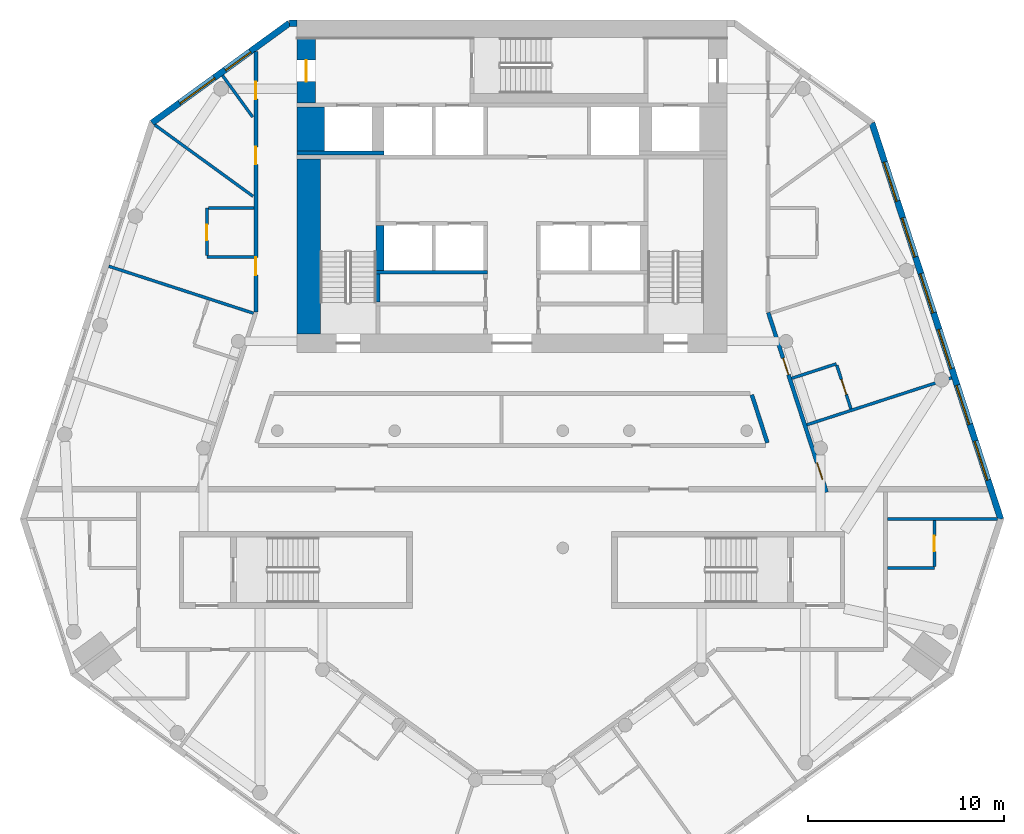
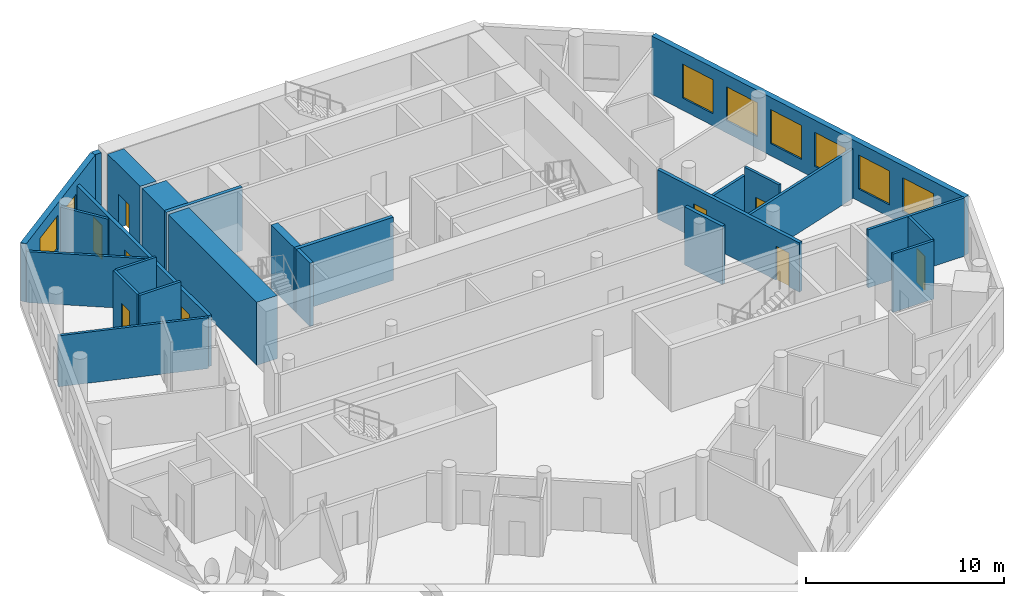
# One storey, part 5 of 9: 25 walls, 9 doors, 8 windows, 17 openings.
"""IFC4 building model written with IfcOpenShell, lengths in metres."""

from ifc_helpers import new_model, si_unit, direction, frame, frame_2d, origin, place, context, subcontext, project, spatial, rectangle, extrude, material, layer, layer_set, type_object, element, fill, save


model = new_model("IFC4")

# Units and contexts
model_context = context("Model", 3, precision=1e-05, world=origin(), true_north=direction((0.0, 1.0)))
body_context = subcontext(model_context, "Body", "Model", "MODEL_VIEW")
ifc_project = project(units=[si_unit("LENGTHUNIT", "METRE"), si_unit("AREAUNIT", "SQUARE_METRE"), si_unit("VOLUMEUNIT", "CUBIC_METRE"), si_unit("PLANEANGLEUNIT", "RADIAN"), si_unit("MASSUNIT", "GRAM", prefix="KILO")], contexts=[model_context])

# Site, building, storey
site_placement = place(None, origin())
site = spatial("IfcSite", under=ifc_project, at=site_placement, CompositionType="ELEMENT")
building_placement = place(site_placement, origin())
building = spatial("IfcBuilding", under=site, at=building_placement, Name="White Candle Pilgrim Tower", CompositionType="ELEMENT")
storey_placement = place(building_placement, frame((0.0, 0.0, 187.60009765625)))
storey = spatial("IfcBuildingStorey", under=building, at=storey_placement, Name="L43", CompositionType="ELEMENT", Elevation=187.60009765625)

# Walls
ifc_material_1 = material(Name="Concrete C60/75", Category="concrete")
ifc_layer_1 = layer(ifc_material_1, 1.39990234375)
ifc_layer_set_1 = layer_set([ifc_layer_1], Name="Core wall 1400 mm Concrete C60/75")
wall_type_1 = type_object("IfcWallType", Name="Core wall 1400 mm Concrete C60/75", PredefinedType="SHEAR", material=ifc_layer_set_1)
wall_1_placement = place(storey_placement, frame((59.699951171875, 81.300048828125, 0.0), z_axis=(0.0, 0.0, 1.0), x_axis=(0.0, 1.0, 0.0)))
element("IfcWall", 1, at=wall_1_placement, inside=storey, type_object=wall_type_1, Name="WL-L43-C42", PredefinedType="SHEAR", context=body_context, shape_type="SweptSolid", body=[
    extrude(rectangle(XDim=2.25, YDim=1.39990234375, at=frame_2d((1.125, 0.0))), origin(), (0.0, 0.0, 1.0), 3.89990234375),
])
ifc_layer_2 = layer(ifc_material_1, 0.199951171875)
ifc_layer_set_2 = layer_set([ifc_layer_2], Name="Core wall 200 mm Concrete C60/75")
wall_type_2 = type_object("IfcWallType", Name="Core wall 200 mm Concrete C60/75", PredefinedType="SHEAR", material=ifc_layer_set_2)
wall_2_placement = place(storey_placement, frame((59.0, 81.199951171875, 0.0), z_axis=(0.0, 0.0, 1.0), x_axis=(1.0, 0.0, 0.0)))
element("IfcWall", 2, at=wall_2_placement, inside=storey, type_object=wall_type_2, Name="WL-L43-C37", PredefinedType="SHEAR", context=body_context, shape_type="SweptSolid", body=[
    extrude(rectangle(XDim=4.449951171875, YDim=0.199951171875, at=frame_2d((2.22509765625, 0.0))), origin(), (0.0, 0.0, 1.0), 3.89990234375),
])

# Wall, opening, door
ifc_layer_3 = layer(ifc_material_1, 0.949951171875)
ifc_layer_set_3 = layer_set([ifc_layer_3], Name="Core wall 950 mm Concrete C60/75")
wall_type_3 = type_object("IfcWallType", Name="Core wall 950 mm Concrete C60/75", PredefinedType="SHEAR", material=ifc_layer_set_3)
wall_3_placement = place(storey_placement, frame((59.47509765625, 83.75, 0.0), z_axis=(0.0, 0.0, 1.0), x_axis=(0.0, 1.0, 0.0)))
wall_3 = element("IfcWall", 3, at=wall_3_placement, inside=storey, type_object=wall_type_3, Name="WL-L43-C47", PredefinedType="SHEAR", context=body_context, shape_type="SweptSolid", body=[
    extrude(rectangle(XDim=3.300048828125, YDim=0.949951171875, at=frame_2d((1.64990234375, 0.0))), origin(), (0.0, 0.0, 1.0), 3.89990234375),
])
opening_1_placement = place(wall_3_placement, frame((1.10009765625, 0.0, 0.0)))
opening_1 = element("IfcOpeningElement", 4, at=opening_1_placement, cuts=wall_3, Name="Opening T13-009", PredefinedType="OPENING", context=body_context, shape_type="SweptSolid", body=[
    extrude(rectangle(XDim=1.10009765625, YDim=2.10009765625, at=frame_2d((0.550048828125, 1.050048828125))), frame((0.0, 0.48486328125, 0.0), z_axis=(0.0, -1.0, 0.0), x_axis=(1.0, 0.0, 0.0)), (0.0, 0.0, 1.0), 0.969970703125),
])
ifc_material_2 = material(Name="Steel door leaf", Category="steel")
door_type_1 = type_object("IfcDoorType", Name="Fire door 1100 x 2100 EI 60", OperationType="NOTDEFINED", PredefinedType="DOOR", material=ifc_material_2)
door_1_placement = place(opening_1_placement, origin())
door_1 = element("IfcDoor", 5, at=door_1_placement, inside=storey, type_object=door_type_1, Name="Door T13-009", OperationType="SINGLE_SWING_LEFT", OverallHeight=2.10009765625, OverallWidth=1.10009765625, PredefinedType="DOOR", context=body_context, shape_type="SweptSolid", body=[
    extrude(rectangle(XDim=1.10009765625, YDim=2.10009765625, at=frame_2d((0.550048828125, 1.050048828125))), frame((0.0, 0.02490234375, 0.0), z_axis=(0.0, -1.0, 0.0), x_axis=(1.0, 0.0, 0.0)), (0.0, 0.0, 1.0), 0.050048828125),
])
fill(opening_1, door_1)

# Wall, openings, doors
ifc_material_3 = material(Name="Gypsum board on steel studs", Category="steel")
ifc_layer_4 = layer(ifc_material_3, 0.199951171875)
ifc_layer_set_4 = layer_set([ifc_layer_4], Name="Corridor wall 200 mm EI 45")
wall_type_4 = type_object("IfcWallType", Name="Corridor wall 200 mm EI 45", PredefinedType="PARTITIONING", material=ifc_layer_set_4)
wall_4_placement = place(storey_placement, frame((56.89990234375, 73.072021484375, 0.0), z_axis=(0.0, 0.0, 1.0), x_axis=(0.0, 1.0, 0.0)))
wall_4 = element("IfcWall", 6, at=wall_4_placement, inside=storey, type_object=wall_type_4, Name="WL-L43-P003", PredefinedType="PARTITIONING", context=body_context, shape_type="SweptSolid", body=[
    extrude(rectangle(XDim=13.32421875, YDim=0.199951171875, at=frame_2d((6.662109375, 0.0))), origin(), (0.0, 0.0, 1.0), 3.14990234375),
])
opening_2_placement = place(wall_4_placement, frame((1.885498046875, 0.0, 0.0)))
opening_2 = element("IfcOpeningElement", 7, at=opening_2_placement, cuts=wall_4, Name="Opening T13-126", PredefinedType="OPENING", context=body_context, shape_type="SweptSolid", body=[
    extrude(rectangle(XDim=0.89990234375, YDim=2.10009765625, at=frame_2d((0.449951171875, 1.050048828125))), frame((0.0, 0.10986328125, 0.0), z_axis=(0.0, -1.0, 0.0), x_axis=(1.0, 0.0, 0.0)), (0.0, 0.0, 1.0), 0.219970703125),
])
opening_3_placement = place(wall_4_placement, frame((7.54150390625, 0.0, 0.0)))
opening_3 = element("IfcOpeningElement", 8, at=opening_3_placement, cuts=wall_4, Name="Opening T13-127", PredefinedType="OPENING", context=body_context, shape_type="SweptSolid", body=[
    extrude(rectangle(XDim=0.89990234375, YDim=2.10009765625, at=frame_2d((0.449951171875, 1.050048828125))), frame((0.0, 0.10986328125, 0.0), z_axis=(0.0, -1.0, 0.0), x_axis=(1.0, 0.0, 0.0)), (0.0, 0.0, 1.0), 0.219970703125),
])
opening_4_placement = place(wall_4_placement, frame((10.87548828125, 0.0, 0.0)))
opening_4 = element("IfcOpeningElement", 9, at=opening_4_placement, cuts=wall_4, Name="Opening T13-128", PredefinedType="OPENING", context=body_context, shape_type="SweptSolid", body=[
    extrude(rectangle(XDim=0.89990234375, YDim=2.10009765625, at=frame_2d((0.449951171875, 1.050048828125))), frame((0.0, 0.10986328125, 0.0), z_axis=(0.0, -1.0, 0.0), x_axis=(1.0, 0.0, 0.0)), (0.0, 0.0, 1.0), 0.219970703125),
])
door_type_2 = type_object("IfcDoorType", Name="Fire door 900 x 2100 EI 30", OperationType="NOTDEFINED", PredefinedType="DOOR", material=ifc_material_2)
door_2_placement = place(opening_2_placement, frame((0.89990234375, 0.0, 0.0), z_axis=(0.0, 0.0, 1.0), x_axis=(-1.0, 0.0, 0.0)))
door_2 = element("IfcDoor", 10, at=door_2_placement, inside=storey, type_object=door_type_2, Name="Door T13-126", OperationType="SINGLE_SWING_LEFT", OverallHeight=2.10009765625, OverallWidth=0.89990234375, PredefinedType="DOOR", context=body_context, shape_type="SweptSolid", body=[
    extrude(rectangle(XDim=0.89990234375, YDim=2.10009765625, at=frame_2d((0.449951171875, 1.050048828125))), frame((0.0, 0.02490234375, 0.0), z_axis=(0.0, -1.0, 0.0), x_axis=(1.0, 0.0, 0.0)), (0.0, 0.0, 1.0), 0.050048828125),
])
fill(opening_2, door_2)
door_3_placement = place(opening_3_placement, origin())
door_3 = element("IfcDoor", 11, at=door_3_placement, inside=storey, type_object=door_type_2, Name="Door T13-127", OperationType="SINGLE_SWING_LEFT", OverallHeight=2.10009765625, OverallWidth=0.89990234375, PredefinedType="DOOR", context=body_context, shape_type="SweptSolid", body=[
    extrude(rectangle(XDim=0.89990234375, YDim=2.10009765625, at=frame_2d((0.449951171875, 1.050048828125))), frame((0.0, 0.02490234375, 0.0), z_axis=(0.0, -1.0, 0.0), x_axis=(1.0, 0.0, 0.0)), (0.0, 0.0, 1.0), 0.050048828125),
])
fill(opening_3, door_3)
door_4_placement = place(opening_4_placement, origin())
door_4 = element("IfcDoor", 12, at=door_4_placement, inside=storey, type_object=door_type_2, Name="Door T13-128", OperationType="SINGLE_SWING_RIGHT", OverallHeight=2.10009765625, OverallWidth=0.89990234375, PredefinedType="DOOR", context=body_context, shape_type="SweptSolid", body=[
    extrude(rectangle(XDim=0.89990234375, YDim=2.10009765625, at=frame_2d((0.449951171875, 1.050048828125))), frame((0.0, 0.02490234375, 0.0), z_axis=(0.0, -1.0, 0.0), x_axis=(1.0, 0.0, 0.0)), (0.0, 0.0, 1.0), 0.050048828125),
])
fill(opening_4, door_4)

wall_5_placement = place(storey_placement, frame((83.10498046875, 73.041259765625, 0.0), z_axis=(0.0, 0.0, 1.0), x_axis=(0.309011240603, -0.95105838579, 0.0)))
wall_5 = element("IfcWall", 13, at=wall_5_placement, inside=storey, type_object=wall_type_4, Name="WL-L43-P005", PredefinedType="PARTITIONING", context=body_context, shape_type="SweptSolid", body=[
    extrude(rectangle(XDim=9.6640625, YDim=0.199951171875, at=frame_2d((4.83203125, 0.0))), origin(), (0.0, 0.0, 1.0), 3.0498046875),
])
opening_5_placement = place(wall_5_placement, frame((2.44921875, 0.0, 0.0)))
opening_5 = element("IfcOpeningElement", 14, at=opening_5_placement, cuts=wall_5, Name="Opening T13-132", PredefinedType="OPENING", context=body_context, shape_type="SweptSolid", body=[
    extrude(rectangle(XDim=0.89990234375, YDim=2.10009765625, at=frame_2d((0.449951171875, 1.050048828125))), frame((0.0, 0.10986328125, 0.0), z_axis=(0.0, -1.0, 0.0), x_axis=(1.0, 0.0, 0.0)), (0.0, 0.0, 1.0), 0.219970703125),
])
opening_6_placement = place(wall_5_placement, frame((8.078125, 0.0, 0.0)))
opening_6 = element("IfcOpeningElement", 15, at=opening_6_placement, cuts=wall_5, Name="Opening T13-133", PredefinedType="OPENING", context=body_context, shape_type="SweptSolid", body=[
    extrude(rectangle(XDim=0.89990234375, YDim=2.10009765625, at=frame_2d((0.449951171875, 1.050048828125))), frame((0.0, 0.10986328125, 0.0), z_axis=(0.0, -1.0, 0.0), x_axis=(1.0, 0.0, 0.0)), (0.0, 0.0, 1.0), 0.219970703125),
])
door_5_placement = place(opening_5_placement, origin())
door_5 = element("IfcDoor", 16, at=door_5_placement, inside=storey, type_object=door_type_2, Name="Door T13-132", OperationType="SINGLE_SWING_RIGHT", OverallHeight=2.10009765625, OverallWidth=0.89990234375, PredefinedType="DOOR", context=body_context, shape_type="SweptSolid", body=[
    extrude(rectangle(XDim=0.89990234375, YDim=2.10009765625, at=frame_2d((0.449951171875, 1.050048828125))), frame((0.0, 0.02490234375, 0.0), z_axis=(0.0, -1.0, 0.0), x_axis=(1.0, 0.0, 0.0)), (0.0, 0.0, 1.0), 0.050048828125),
])
fill(opening_5, door_5)
door_6_placement = place(opening_6_placement, origin())
door_6 = element("IfcDoor", 17, at=door_6_placement, inside=storey, type_object=door_type_2, Name="Door T13-133", OperationType="SINGLE_SWING_LEFT", OverallHeight=2.10009765625, OverallWidth=0.89990234375, PredefinedType="DOOR", context=body_context, shape_type="SweptSolid", body=[
    extrude(rectangle(XDim=0.89990234375, YDim=2.10009765625, at=frame_2d((0.449951171875, 1.050048828125))), frame((0.0, 0.02490234375, 0.0), z_axis=(0.0, -1.0, 0.0), x_axis=(1.0, 0.0, 0.0)), (0.0, 0.0, 1.0), 0.050048828125),
])
fill(opening_6, door_6)

# Wall
wall_6_placement = place(storey_placement, frame((83.060791015625, 66.380859375, 0.0), z_axis=(0.0, 0.0, 1.0), x_axis=(-0.308968203288, 0.951072368097, 0.0)))
element("IfcWall", 18, at=wall_6_placement, inside=storey, type_object=wall_type_4, Name="WL-L43-P013", PredefinedType="PARTITIONING", context=body_context, shape_type="SweptSolid", body=[
    extrude(rectangle(XDim=2.575927734375, YDim=0.199951171875, at=frame_2d((1.2880859375, 0.0))), origin(), (0.0, 0.0, 1.0), 3.599853515625),
])

# Wall, openings, windows
ifc_material_4 = material(Name="Precast concrete C40/50", Category="concrete")
ifc_layer_5 = layer(ifc_material_4, 0.320068359375)
ifc_layer_set_5 = layer_set([ifc_layer_5], Name="Facade wall EW1 precast concrete C40/50 pier wall with timber-lined reveals")
wall_type_5 = type_object("IfcWallType", Name="Facade wall EW1 precast concrete C40/50 pier wall with timber-lined reveals", PredefinedType="SOLIDWALL", material=ifc_layer_set_5)
wall_7_placement = place(storey_placement, frame((94.9931640625, 62.470703125, 0.0), z_axis=(0.0, 0.0, 1.0), x_axis=(-0.309014571298, 0.951057303597, 0.0)))
wall_7 = element("IfcWall", 19, at=wall_7_placement, inside=storey, type_object=wall_type_5, Name="Facade wall L43 ENE", PredefinedType="SOLIDWALL", context=body_context, shape_type="SweptSolid", body=[
    extrude(rectangle(XDim=21.3095703125, YDim=0.320068359375, at=frame_2d((10.65478515625, 0.0))), origin(), (0.0, 0.0, 1.0), 3.599853515625),
])
opening_7_placement = place(wall_7_placement, frame((2.104736328125, 0.0, 0.75)))
opening_7 = element("IfcOpeningElement", 20, at=opening_7_placement, cuts=wall_7, Name="Opening W3", PredefinedType="OPENING", context=body_context, shape_type="SweptSolid", body=[
    extrude(rectangle(XDim=2.10009765625, YDim=2.10009765625, at=frame_2d((1.050048828125, 1.050048828125))), frame((0.0, 0.169921875, 0.0), z_axis=(0.0, -1.0, 0.0), x_axis=(1.0, 0.0, 0.0)), (0.0, 0.0, 1.0), 0.340087890625),
])
opening_8_placement = place(wall_7_placement, frame((5.104736328125, 0.0, 0.75)))
opening_8 = element("IfcOpeningElement", 21, at=opening_8_placement, cuts=wall_7, Name="Opening W3", PredefinedType="OPENING", context=body_context, shape_type="SweptSolid", body=[
    extrude(rectangle(XDim=2.10009765625, YDim=2.10009765625, at=frame_2d((1.050048828125, 1.050048828125))), frame((0.0, 0.169921875, 0.0), z_axis=(0.0, -1.0, 0.0), x_axis=(1.0, 0.0, 0.0)), (0.0, 0.0, 1.0), 0.340087890625),
])
opening_9_placement = place(wall_7_placement, frame((8.104736328125, 0.0, 0.75)))
opening_9 = element("IfcOpeningElement", 22, at=opening_9_placement, cuts=wall_7, Name="Opening W3", PredefinedType="OPENING", context=body_context, shape_type="SweptSolid", body=[
    extrude(rectangle(XDim=2.10009765625, YDim=2.10009765625, at=frame_2d((1.050048828125, 1.050048828125))), frame((0.0, 0.169921875, 0.0), z_axis=(0.0, -1.0, 0.0), x_axis=(1.0, 0.0, 0.0)), (0.0, 0.0, 1.0), 0.340087890625),
])
opening_10_placement = place(wall_7_placement, frame((11.104736328125, 0.0, 0.75)))
opening_10 = element("IfcOpeningElement", 23, at=opening_10_placement, cuts=wall_7, Name="Opening W3", PredefinedType="OPENING", context=body_context, shape_type="SweptSolid", body=[
    extrude(rectangle(XDim=2.10009765625, YDim=2.10009765625, at=frame_2d((1.050048828125, 1.050048828125))), frame((0.0, 0.169921875, 0.0), z_axis=(0.0, -1.0, 0.0), x_axis=(1.0, 0.0, 0.0)), (0.0, 0.0, 1.0), 0.340087890625),
])
opening_11_placement = place(wall_7_placement, frame((14.104736328125, 0.0, 0.75)))
opening_11 = element("IfcOpeningElement", 24, at=opening_11_placement, cuts=wall_7, Name="Opening W3", PredefinedType="OPENING", context=body_context, shape_type="SweptSolid", body=[
    extrude(rectangle(XDim=2.10009765625, YDim=2.10009765625, at=frame_2d((1.050048828125, 1.050048828125))), frame((0.0, 0.169921875, 0.0), z_axis=(0.0, -1.0, 0.0), x_axis=(1.0, 0.0, 0.0)), (0.0, 0.0, 1.0), 0.340087890625),
])
opening_12_placement = place(wall_7_placement, frame((17.104736328125, 0.0, 0.75)))
opening_12 = element("IfcOpeningElement", 25, at=opening_12_placement, cuts=wall_7, Name="Opening W3", PredefinedType="OPENING", context=body_context, shape_type="SweptSolid", body=[
    extrude(rectangle(XDim=2.10009765625, YDim=2.10009765625, at=frame_2d((1.050048828125, 1.050048828125))), frame((0.0, 0.169921875, 0.0), z_axis=(0.0, -1.0, 0.0), x_axis=(1.0, 0.0, 0.0)), (0.0, 0.0, 1.0), 0.340087890625),
])
ifc_material_5 = material(Name="Timber frame with triple glazing", Category="wood")
window_type_1 = type_object("IfcWindowType", Name="Window W3 2100x2100 timber frame triple glazing", PartitioningType="SINGLE_PANEL", PredefinedType="WINDOW", material=ifc_material_5)
window_1_placement = place(opening_7_placement, origin())
window_1 = element("IfcWindow", 26, at=window_1_placement, inside=storey, type_object=window_type_1, Name="Window W3 L43 ENE 1", OverallHeight=2.10009765625, OverallWidth=2.10009765625, PartitioningType="SINGLE_PANEL", PredefinedType="WINDOW", context=body_context, shape_type="SweptSolid", body=[
    extrude(rectangle(XDim=2.10009765625, YDim=2.10009765625, at=frame_2d((1.050048828125, 1.050048828125))), frame((0.0, 0.070068359375, 0.0), z_axis=(0.0, -1.0, 0.0), x_axis=(1.0, 0.0, 0.0)), (0.0, 0.0, 1.0), 0.06005859375),
])
fill(opening_7, window_1)
window_2_placement = place(opening_8_placement, origin())
window_2 = element("IfcWindow", 27, at=window_2_placement, inside=storey, type_object=window_type_1, Name="Window W3 L43 ENE 2", OverallHeight=2.10009765625, OverallWidth=2.10009765625, PartitioningType="SINGLE_PANEL", PredefinedType="WINDOW", context=body_context, shape_type="SweptSolid", body=[
    extrude(rectangle(XDim=2.10009765625, YDim=2.10009765625, at=frame_2d((1.050048828125, 1.050048828125))), frame((0.0, 0.070068359375, 0.0), z_axis=(0.0, -1.0, 0.0), x_axis=(1.0, 0.0, 0.0)), (0.0, 0.0, 1.0), 0.06005859375),
])
fill(opening_8, window_2)
window_3_placement = place(opening_9_placement, origin())
window_3 = element("IfcWindow", 28, at=window_3_placement, inside=storey, type_object=window_type_1, Name="Window W3 L43 ENE 3", OverallHeight=2.10009765625, OverallWidth=2.10009765625, PartitioningType="SINGLE_PANEL", PredefinedType="WINDOW", context=body_context, shape_type="SweptSolid", body=[
    extrude(rectangle(XDim=2.10009765625, YDim=2.10009765625, at=frame_2d((1.050048828125, 1.050048828125))), frame((0.0, 0.070068359375, 0.0), z_axis=(0.0, -1.0, 0.0), x_axis=(1.0, 0.0, 0.0)), (0.0, 0.0, 1.0), 0.06005859375),
])
fill(opening_9, window_3)
window_4_placement = place(opening_10_placement, origin())
window_4 = element("IfcWindow", 29, at=window_4_placement, inside=storey, type_object=window_type_1, Name="Window W3 L43 ENE 4", OverallHeight=2.10009765625, OverallWidth=2.10009765625, PartitioningType="SINGLE_PANEL", PredefinedType="WINDOW", context=body_context, shape_type="SweptSolid", body=[
    extrude(rectangle(XDim=2.10009765625, YDim=2.10009765625, at=frame_2d((1.050048828125, 1.050048828125))), frame((0.0, 0.070068359375, 0.0), z_axis=(0.0, -1.0, 0.0), x_axis=(1.0, 0.0, 0.0)), (0.0, 0.0, 1.0), 0.06005859375),
])
fill(opening_10, window_4)
window_5_placement = place(opening_11_placement, origin())
window_5 = element("IfcWindow", 30, at=window_5_placement, inside=storey, type_object=window_type_1, Name="Window W3 L43 ENE 5", OverallHeight=2.10009765625, OverallWidth=2.10009765625, PartitioningType="SINGLE_PANEL", PredefinedType="WINDOW", context=body_context, shape_type="SweptSolid", body=[
    extrude(rectangle(XDim=2.10009765625, YDim=2.10009765625, at=frame_2d((1.050048828125, 1.050048828125))), frame((0.0, 0.070068359375, 0.0), z_axis=(0.0, -1.0, 0.0), x_axis=(1.0, 0.0, 0.0)), (0.0, 0.0, 1.0), 0.06005859375),
])
fill(opening_11, window_5)
window_6_placement = place(opening_12_placement, origin())
window_6 = element("IfcWindow", 31, at=window_6_placement, inside=storey, type_object=window_type_1, Name="Window W3 L43 ENE 6", OverallHeight=2.10009765625, OverallWidth=2.10009765625, PartitioningType="SINGLE_PANEL", PredefinedType="WINDOW", context=body_context, shape_type="SweptSolid", body=[
    extrude(rectangle(XDim=2.10009765625, YDim=2.10009765625, at=frame_2d((1.050048828125, 1.050048828125))), frame((0.0, 0.070068359375, 0.0), z_axis=(0.0, -1.0, 0.0), x_axis=(1.0, 0.0, 0.0)), (0.0, 0.0, 1.0), 0.06005859375),
])
fill(opening_12, window_6)

# Wall
wall_8_placement = place(storey_placement, frame((59.0, 87.840087890625, 0.0), z_axis=(0.0, 0.0, 1.0), x_axis=(-1.0, 0.0, 0.0)))
element("IfcWall", 32, at=wall_8_placement, inside=storey, type_object=wall_type_5, Name="Facade wall L43 N", PredefinedType="SOLIDWALL", context=body_context, shape_type="SweptSolid", body=[
    extrude(rectangle(XDim=0.385009765625, YDim=0.320068359375, at=frame_2d((0.1923828125, 0.0))), origin(), (0.0, 0.0, 1.0), 3.599853515625),
])

# Wall, openings, windows
wall_9_placement = place(storey_placement, frame((58.614990234375, 87.840087890625, 0.0), z_axis=(0.0, 0.0, 1.0), x_axis=(-0.809009624381, -0.587795396085, 0.0)))
wall_9 = element("IfcWall", 33, at=wall_9_placement, inside=storey, type_object=wall_type_5, Name="Facade wall L43 NW chamfer", PredefinedType="SOLIDWALL", context=body_context, shape_type="SweptSolid", body=[
    extrude(rectangle(XDim=8.68115234375, YDim=0.320068359375, at=frame_2d((4.340576171875, 0.0))), origin(), (0.0, 0.0, 1.0), 3.599853515625),
])
opening_13_placement = place(wall_9_placement, frame((2.459716796875, 0.0, 0.89990234375)))
opening_13 = element("IfcOpeningElement", 34, at=opening_13_placement, cuts=wall_9, Name="Opening W2", PredefinedType="OPENING", context=body_context, shape_type="SweptSolid", body=[
    extrude(rectangle(XDim=1.60009765625, YDim=1.800048828125, at=frame_2d((0.800048828125, 0.89990234375))), frame((0.0, 0.169921875, 0.0), z_axis=(0.0, -1.0, 0.0), x_axis=(1.0, 0.0, 0.0)), (0.0, 0.0, 1.0), 0.340087890625),
])
opening_14_placement = place(wall_9_placement, frame((4.740478515625, 0.0, 0.75)))
opening_14 = element("IfcOpeningElement", 35, at=opening_14_placement, cuts=wall_9, Name="Opening W4", PredefinedType="OPENING", context=body_context, shape_type="SweptSolid", body=[
    extrude(rectangle(XDim=2.199951171875, YDim=2.10009765625, at=frame_2d((1.10009765625, 1.050048828125))), frame((0.0, 0.169921875, 0.0), z_axis=(0.0, -1.0, 0.0), x_axis=(1.0, 0.0, 0.0)), (0.0, 0.0, 1.0), 0.340087890625),
])
window_type_2 = type_object("IfcWindowType", Name="Window W2 1600x1800 timber frame triple glazing", PartitioningType="SINGLE_PANEL", PredefinedType="WINDOW", material=ifc_material_5)
window_7_placement = place(opening_13_placement, origin())
window_7 = element("IfcWindow", 36, at=window_7_placement, inside=storey, type_object=window_type_2, Name="Window W2 L43 NW chamfer 1", OverallHeight=1.800048828125, OverallWidth=1.60009765625, PartitioningType="SINGLE_PANEL", PredefinedType="WINDOW", context=body_context, shape_type="SweptSolid", body=[
    extrude(rectangle(XDim=1.60009765625, YDim=1.800048828125, at=frame_2d((0.800048828125, 0.89990234375))), frame((0.0, 0.070068359375, 0.0), z_axis=(0.0, -1.0, 0.0), x_axis=(1.0, 0.0, 0.0)), (0.0, 0.0, 1.0), 0.06005859375),
])
fill(opening_13, window_7)
window_type_3 = type_object("IfcWindowType", Name="Window W4 2200x2100 timber frame triple glazing", PartitioningType="SINGLE_PANEL", PredefinedType="WINDOW", material=ifc_material_5)
window_8_placement = place(opening_14_placement, origin())
window_8 = element("IfcWindow", 37, at=window_8_placement, inside=storey, type_object=window_type_3, Name="Window W4 L43 NW chamfer 2", OverallHeight=2.10009765625, OverallWidth=2.199951171875, PartitioningType="SINGLE_PANEL", PredefinedType="WINDOW", context=body_context, shape_type="SweptSolid", body=[
    extrude(rectangle(XDim=2.199951171875, YDim=2.10009765625, at=frame_2d((1.10009765625, 1.050048828125))), frame((0.0, 0.070068359375, 0.0), z_axis=(0.0, -1.0, 0.0), x_axis=(1.0, 0.0, 0.0)), (0.0, 0.0, 1.0), 0.06005859375),
])
fill(opening_14, window_8)

# Walls
ifc_layer_6 = layer(ifc_material_3, 0.14990234375)
ifc_layer_set_6 = layer_set([ifc_layer_6], Name="Partition 150 mm EI 60")
wall_type_6 = type_object("IfcWallType", Name="Partition 150 mm EI 60", PredefinedType="PARTITIONING", material=ifc_layer_set_6)
wall_10_placement = place(storey_placement, frame((51.727783203125, 82.638427734375, 0.0), z_axis=(0.0, 0.0, 1.0), x_axis=(0.809038352218, -0.58775585462, 0.0)))
element("IfcWall", 38, at=wall_10_placement, inside=storey, type_object=wall_type_6, Name="WL-L43-P017", PredefinedType="PARTITIONING", context=body_context, shape_type="SweptSolid", body=[
    extrude(rectangle(XDim=6.21484375, YDim=0.14990234375, at=frame_2d((3.107421875, 0.0))), origin(), (0.0, 0.0, 1.0), 3.14990234375),
])
wall_11_placement = place(storey_placement, frame((94.824951171875, 62.470703125, 0.0), z_axis=(0.0, 0.0, 1.0), x_axis=(-1.0, 0.0, 0.0)))
element("IfcWall", 39, at=wall_11_placement, inside=storey, type_object=wall_type_6, Name="WL-L43-P023", PredefinedType="PARTITIONING", context=body_context, shape_type="SweptSolid", body=[
    extrude(rectangle(XDim=5.625, YDim=0.14990234375, at=frame_2d((2.8125, 0.0))), origin(), (0.0, 0.0, 1.0), 3.599853515625),
])
wall_12_placement = place(storey_placement, frame((55.197509765625, 85.1591796875, 0.0), z_axis=(0.0, 0.0, 1.0), x_axis=(0.587778694089, -0.809021759148, 0.0)))
element("IfcWall", 40, at=wall_12_placement, inside=storey, type_object=wall_type_6, Name="WL-L43-P025", PredefinedType="PARTITIONING", context=body_context, shape_type="SweptSolid", body=[
    extrude(rectangle(XDim=2.623046875, YDim=0.14990234375, at=frame_2d((1.3115234375, 0.0))), origin(), (0.0, 0.0, 1.0), 3.14990234375),
])
wall_13_placement = place(storey_placement, frame((49.37841796875, 75.40771484375, 0.0), z_axis=(0.0, 0.0, 1.0), x_axis=(0.951062659592, -0.308998086611, 0.0)))
element("IfcWall", 41, at=wall_13_placement, inside=storey, type_object=wall_type_6, Name="WL-L43-P026", PredefinedType="PARTITIONING", context=body_context, shape_type="SweptSolid", body=[
    extrude(rectangle(XDim=7.7802734375, YDim=0.14990234375, at=frame_2d((3.89013671875, 0.0))), origin(), (0.0, 0.0, 1.0), 3.14990234375),
])
wall_14_placement = place(storey_placement, frame((56.800048828125, 75.880859375, 0.0), z_axis=(0.0, 0.0, 1.0), x_axis=(-1.0, 0.0, 0.0)))
element("IfcWall", 42, at=wall_14_placement, inside=storey, type_object=wall_type_6, Name="WL-L43-P028", PredefinedType="PARTITIONING", context=body_context, shape_type="SweptSolid", body=[
    extrude(rectangle(XDim=2.400146484375, YDim=0.14990234375, at=frame_2d((1.2001953125, 0.0))), origin(), (0.0, 0.0, 1.0), 3.599853515625),
])

# Wall, opening, door
wall_15_placement = place(storey_placement, frame((54.39990234375, 78.380859375, 0.0), z_axis=(0.0, 0.0, 1.0), x_axis=(0.0, -1.0, 0.0)))
wall_15 = element("IfcWall", 43, at=wall_15_placement, inside=storey, type_object=wall_type_6, Name="WL-L43-P029", PredefinedType="PARTITIONING", context=body_context, shape_type="SweptSolid", body=[
    extrude(rectangle(XDim=2.425048828125, YDim=0.14990234375, at=frame_2d((1.21240234375, 0.0))), origin(), (0.0, 0.0, 1.0), 3.599853515625),
])
opening_15_placement = place(wall_15_placement, frame((0.85009765625, 0.0, 0.0)))
opening_15 = element("IfcOpeningElement", 44, at=opening_15_placement, cuts=wall_15, Name="Opening T13-101", PredefinedType="OPENING", context=body_context, shape_type="SweptSolid", body=[
    extrude(rectangle(XDim=0.800048828125, YDim=2.10009765625, at=frame_2d((0.39990234375, 1.050048828125))), frame((0.0, 0.0849609375, 0.0), z_axis=(0.0, -1.0, 0.0), x_axis=(1.0, 0.0, 0.0)), (0.0, 0.0, 1.0), 0.169921875),
])
door_type_3 = type_object("IfcDoorType", Name="Fire door 800 x 2100 EI 30", OperationType="NOTDEFINED", PredefinedType="DOOR", material=ifc_material_2)
door_7_placement = place(opening_15_placement, frame((0.800048828125, 0.0, 0.0), z_axis=(0.0, 0.0, 1.0), x_axis=(-1.0, 0.0, 0.0)))
door_7 = element("IfcDoor", 45, at=door_7_placement, inside=storey, type_object=door_type_3, Name="Door T13-101", OperationType="SINGLE_SWING_RIGHT", OverallHeight=2.10009765625, OverallWidth=0.800048828125, PredefinedType="DOOR", context=body_context, shape_type="SweptSolid", body=[
    extrude(rectangle(XDim=0.800048828125, YDim=2.10009765625, at=frame_2d((0.39990234375, 1.050048828125))), frame((0.0, 0.02490234375, 0.0), z_axis=(0.0, -1.0, 0.0), x_axis=(1.0, 0.0, 0.0)), (0.0, 0.0, 1.0), 0.050048828125),
])
fill(opening_15, door_7)

# Walls
wall_16_placement = place(storey_placement, frame((56.800048828125, 78.380859375, 0.0), z_axis=(0.0, 0.0, 1.0), x_axis=(-1.0, 0.0, 0.0)))
element("IfcWall", 46, at=wall_16_placement, inside=storey, type_object=wall_type_6, Name="WL-L43-P030", PredefinedType="PARTITIONING", context=body_context, shape_type="SweptSolid", body=[
    extrude(rectangle(XDim=2.324951171875, YDim=0.14990234375, at=frame_2d((1.16259765625, 0.0))), origin(), (0.0, 0.0, 1.0), 3.599853515625),
])
wall_17_placement = place(storey_placement, frame((89.199951171875, 59.970703125, 0.0), z_axis=(0.0, 0.0, 1.0), x_axis=(1.0, 0.0, 0.0)))
element("IfcWall", 47, at=wall_17_placement, inside=storey, type_object=wall_type_6, Name="WL-L43-P049", PredefinedType="PARTITIONING", context=body_context, shape_type="SweptSolid", body=[
    extrude(rectangle(XDim=2.400146484375, YDim=0.14990234375, at=frame_2d((1.2001953125, 0.0))), origin(), (0.0, 0.0, 1.0), 3.599853515625),
])

# Wall, opening, door
wall_18_placement = place(storey_placement, frame((91.60009765625, 62.395751953125, 0.0), z_axis=(0.0, 0.0, 1.0), x_axis=(0.0, -1.0, 0.0)))
wall_18 = element("IfcWall", 48, at=wall_18_placement, inside=storey, type_object=wall_type_6, Name="WL-L43-P050", PredefinedType="PARTITIONING", context=body_context, shape_type="SweptSolid", body=[
    extrude(rectangle(XDim=2.35009765625, YDim=0.14990234375, at=frame_2d((1.175048828125, 0.0))), origin(), (0.0, 0.0, 1.0), 3.599853515625),
])
opening_16_placement = place(wall_18_placement, frame((0.77490234375, 0.0, 0.0)))
opening_16 = element("IfcOpeningElement", 49, at=opening_16_placement, cuts=wall_18, Name="Opening T13-116", PredefinedType="OPENING", context=body_context, shape_type="SweptSolid", body=[
    extrude(rectangle(XDim=0.800048828125, YDim=2.10009765625, at=frame_2d((0.39990234375, 1.050048828125))), frame((0.0, 0.0849609375, 0.0), z_axis=(0.0, -1.0, 0.0), x_axis=(1.0, 0.0, 0.0)), (0.0, 0.0, 1.0), 0.169921875),
])
door_8_placement = place(opening_16_placement, origin())
door_8 = element("IfcDoor", 50, at=door_8_placement, inside=storey, type_object=door_type_3, Name="Door T13-116", OperationType="SINGLE_SWING_RIGHT", OverallHeight=2.10009765625, OverallWidth=0.800048828125, PredefinedType="DOOR", context=body_context, shape_type="SweptSolid", body=[
    extrude(rectangle(XDim=0.800048828125, YDim=2.10009765625, at=frame_2d((0.39990234375, 1.050048828125))), frame((0.0, 0.02490234375, 0.0), z_axis=(0.0, -1.0, 0.0), x_axis=(1.0, 0.0, 0.0)), (0.0, 0.0, 1.0), 0.050048828125),
])
fill(opening_16, door_8)

# Walls
wall_19_placement = place(storey_placement, frame((92.4755859375, 69.701416015625, 0.0), z_axis=(0.0, 0.0, 1.0), x_axis=(-0.951059663309, -0.309007308694, 0.0)))
element("IfcWall", 51, at=wall_19_placement, inside=storey, type_object=wall_type_6, Name="WL-L43-P051", PredefinedType="PARTITIONING", context=body_context, shape_type="SweptSolid", body=[
    extrude(rectangle(XDim=7.780029296875, YDim=0.14990234375, at=frame_2d((3.89013671875, 0.0))), origin(), (0.0, 0.0, 1.0), 3.0498046875),
])
wall_20_placement = place(storey_placement, frame((84.3037109375, 69.6748046875, 0.0), z_axis=(0.0, 0.0, 1.0), x_axis=(0.951046776628, 0.309046968381, 0.0)))
element("IfcWall", 52, at=wall_20_placement, inside=storey, type_object=wall_type_6, Name="WL-L43-P053", PredefinedType="PARTITIONING", context=body_context, shape_type="SweptSolid", body=[
    extrude(rectangle(XDim=2.39990234375, YDim=0.14990234375, at=frame_2d((1.199951171875, 0.0))), origin(), (0.0, 0.0, 1.0), 3.0498046875),
])

# Wall, opening, door
wall_21_placement = place(storey_placement, frame((87.335693359375, 68.1103515625, 0.0), z_axis=(0.0, 0.0, 1.0), x_axis=(-0.308987401554, 0.951066131077, 0.0)))
wall_21 = element("IfcWall", 53, at=wall_21_placement, inside=storey, type_object=wall_type_6, Name="WL-L43-P054", PredefinedType="PARTITIONING", context=body_context, shape_type="SweptSolid", body=[
    extrude(rectangle(XDim=2.349853515625, YDim=0.14990234375, at=frame_2d((1.1748046875, 0.0))), origin(), (0.0, 0.0, 1.0), 3.599853515625),
])
opening_17_placement = place(wall_21_placement, frame((0.77490234375, 0.0, 0.0)))
opening_17 = element("IfcOpeningElement", 54, at=opening_17_placement, cuts=wall_21, Name="Opening T13-118", PredefinedType="OPENING", context=body_context, shape_type="SweptSolid", body=[
    extrude(rectangle(XDim=0.800048828125, YDim=2.10009765625, at=frame_2d((0.39990234375, 1.050048828125))), frame((0.0, 0.0849609375, 0.0), z_axis=(0.0, -1.0, 0.0), x_axis=(1.0, 0.0, 0.0)), (0.0, 0.0, 1.0), 0.169921875),
])
door_9_placement = place(opening_17_placement, frame((0.800048828125, 0.0, 0.0), z_axis=(0.0, 0.0, 1.0), x_axis=(-1.0, 0.0, 0.0)))
door_9 = element("IfcDoor", 55, at=door_9_placement, inside=storey, type_object=door_type_3, Name="Door T13-118", OperationType="SINGLE_SWING_LEFT", OverallHeight=2.10009765625, OverallWidth=0.800048828125, PredefinedType="DOOR", context=body_context, shape_type="SweptSolid", body=[
    extrude(rectangle(XDim=0.800048828125, YDim=2.10009765625, at=frame_2d((0.39990234375, 1.050048828125))), frame((0.0, 0.02490234375, 0.0), z_axis=(0.0, -1.0, 0.0), x_axis=(1.0, 0.0, 0.0)), (0.0, 0.0, 1.0), 0.050048828125),
])
fill(opening_17, door_9)

# Walls
ifc_layer_7 = layer(ifc_material_1, 1.199951171875)
ifc_layer_set_7 = layer_set([ifc_layer_7], Name="Stair shaft wall 1200 mm Concrete C60/75")
wall_type_7 = type_object("IfcWallType", Name="Stair shaft wall 1200 mm Concrete C60/75", PredefinedType="SHEAR", material=ifc_layer_set_7)
wall_22_placement = place(storey_placement, frame((59.60009765625, 71.949951171875, 0.0), z_axis=(0.0, 0.0, 1.0), x_axis=(0.0, 1.0, 0.0)))
element("IfcWall", 56, at=wall_22_placement, inside=storey, type_object=wall_type_7, Name="WL-L43-C12", PredefinedType="SHEAR", context=body_context, shape_type="SweptSolid", body=[
    extrude(rectangle(XDim=8.949951171875, YDim=1.199951171875, at=frame_2d((4.47509765625, 0.0))), origin(), (0.0, 0.0, 1.0), 3.89990234375),
])
ifc_layer_8 = layer(ifc_material_1, 0.199951171875)
ifc_layer_set_8 = layer_set([ifc_layer_8], Name="Stair shaft wall 200 mm Concrete C60/75")
wall_type_8 = type_object("IfcWallType", Name="Stair shaft wall 200 mm Concrete C60/75", PredefinedType="SHEAR", material=ifc_layer_set_8)
wall_23_placement = place(storey_placement, frame((63.14990234375, 73.574951171875, 0.0), z_axis=(0.0, 0.0, 1.0), x_axis=(0.0, 1.0, 0.0)))
element("IfcWall", 57, at=wall_23_placement, inside=storey, type_object=wall_type_8, Name="WL-L43-C20", PredefinedType="SHEAR", context=body_context, shape_type="SweptSolid", body=[
    extrude(rectangle(XDim=1.425048828125, YDim=0.199951171875, at=frame_2d((0.71240234375, 0.0))), origin(), (0.0, 0.0, 1.0), 3.89990234375),
])
wall_24_placement = place(storey_placement, frame((63.050048828125, 75.10009765625, 0.0), z_axis=(0.0, 0.0, 1.0), x_axis=(1.0, 0.0, 0.0)))
element("IfcWall", 58, at=wall_24_placement, inside=storey, type_object=wall_type_8, Name="WL-L43-C24", PredefinedType="SHEAR", context=body_context, shape_type="SweptSolid", body=[
    extrude(rectangle(XDim=5.699951171875, YDim=0.199951171875, at=frame_2d((2.85009765625, 0.0))), origin(), (0.0, 0.0, 1.0), 3.89990234375),
])
ifc_layer_9 = layer(ifc_material_1, 0.39990234375)
ifc_layer_set_9 = layer_set([ifc_layer_9], Name="Stair shaft wall 400 mm Concrete C60/75")
wall_type_9 = type_object("IfcWallType", Name="Stair shaft wall 400 mm Concrete C60/75", PredefinedType="SHEAR", material=ifc_layer_set_9)
wall_25_placement = place(storey_placement, frame((63.25, 75.199951171875, 0.0), z_axis=(0.0, 0.0, 1.0), x_axis=(0.0, 1.0, 0.0)))
element("IfcWall", 59, at=wall_25_placement, inside=storey, type_object=wall_type_9, Name="WL-L43-C26", PredefinedType="SHEAR", context=body_context, shape_type="SweptSolid", body=[
    extrude(rectangle(XDim=2.300048828125, YDim=0.39990234375, at=frame_2d((1.14990234375, 0.0))), origin(), (0.0, 0.0, 1.0), 3.89990234375),
])

save(model, "model.ifc")
